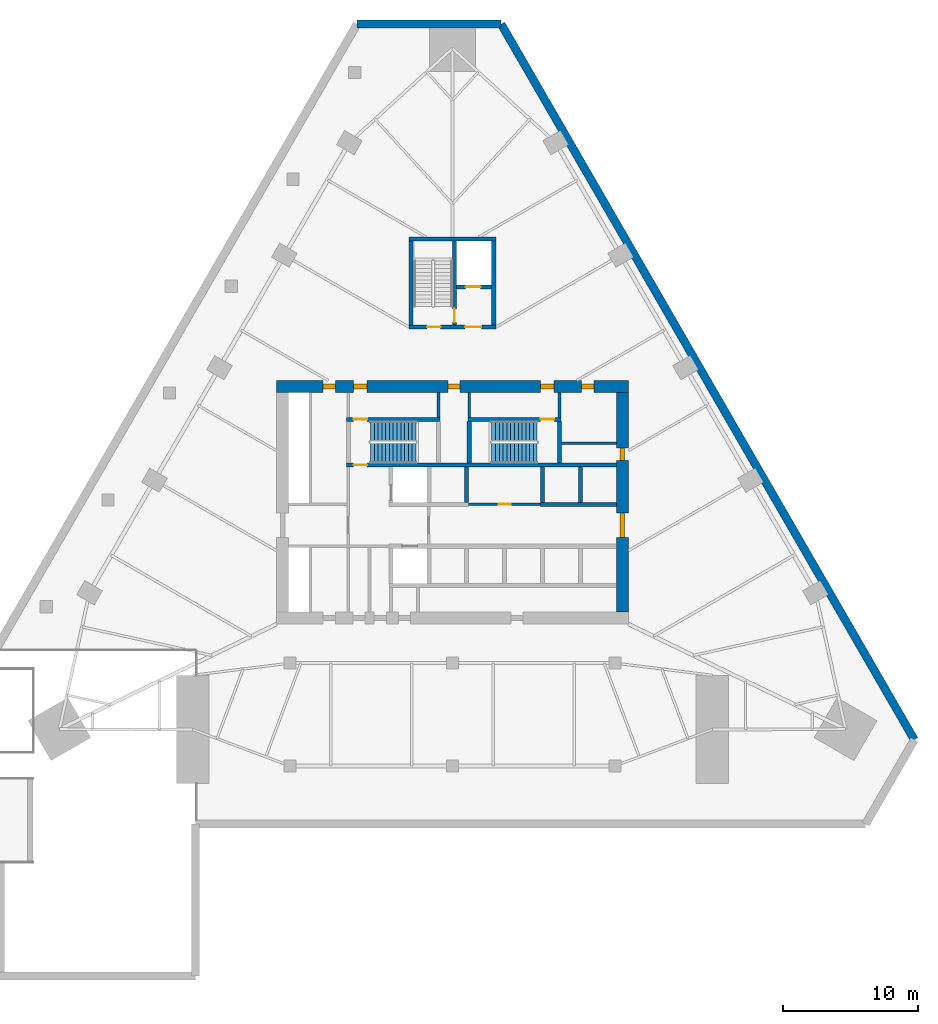
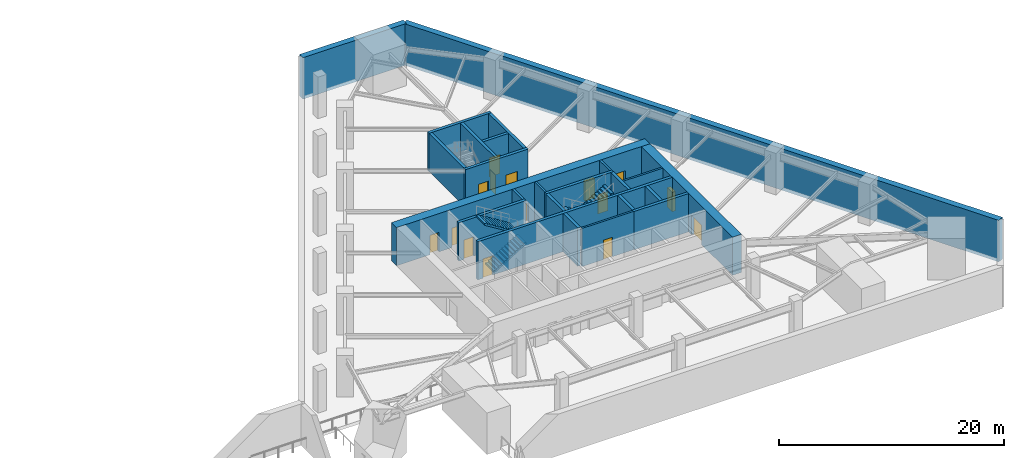
# One storey, part 4 of 7: 24 walls, 15 doors, 4 stair flights, 15 openings, 2 elements without a shape of their own.
"""IFC4 building model written with IfcOpenShell, lengths in metres."""

import ifcopenshell
import ifcopenshell.guid

model = None  # the IFC model being written
_history = None  # IfcOwnerHistory: only IFC2X3 demands one
_inside = {}  # id of a spatial element -> (the spatial element, [elements in it])
_under = {}  # id of a project, library or spatial element -> (it, [spatial elements below it])
_declared = {}  # id of a project -> (the project, [libraries it declares])
_typed = {}  # id of a type object -> (the type object, [elements of that type])
_made_of = {}  # id of a material, layer set ... -> (it, [elements and type objects made of it])


def new_model(schema):
    """Start an empty IFC model of exactly this schema.

    Asked for "IFC4X3", IfcOpenShell would pick the latest addendum, in which some entities
    have other attributes; the version numbers below select the first issue.
    IFC2X3 requires an IfcOwnerHistory on every rooted entity: one is made here for all.
    """
    global model, _history
    if schema == "IFC4X3":
        model = ifcopenshell.file(schema_version=(4, 3, 0, 0))
    else:
        model = ifcopenshell.file(schema=schema)
    _inside.clear()
    _under.clear()
    _declared.clear()
    _typed.clear()
    _made_of.clear()
    _history = None
    if model.schema == "IFC2X3":
        org = make("IfcOrganization", Name="unknown")
        user = make(
            "IfcPersonAndOrganization",
            ThePerson=make("IfcPerson", FamilyName="unknown"),
            TheOrganization=org,
        )
        app = make(
            "IfcApplication",
            ApplicationDeveloper=org,
            Version="unknown",
            ApplicationFullName="unknown",
            ApplicationIdentifier="unknown",
        )
        _history = make(
            "IfcOwnerHistory",
            OwningUser=user,
            OwningApplication=app,
            ChangeAction="ADDED",
            CreationDate=0,
        )
    return model


def make(cls, **values):
    """One entity of the class cls with the attributes given. An attribute that is None is left unset."""
    return model.create_entity(
        cls, **{name: value for name, value in values.items() if value is not None}
    )


def rooted(cls, **values):
    """An entity with a GlobalId (a new one), such as an element, a storey or a relation."""
    return make(cls, GlobalId=ifcopenshell.guid.new(), OwnerHistory=_history, **values)


def si_unit(unit_type, name, prefix=None):
    """IfcSIUnit, for example si_unit("LENGTHUNIT", "METRE", prefix="MILLI")."""
    return make("IfcSIUnit", UnitType=unit_type, Prefix=prefix, Name=name)


def assignment(units):
    """IfcUnitAssignment: the units of a project."""
    return None if units is None else make("IfcUnitAssignment", Units=units)


def point(xyz):
    """IfcCartesianPoint."""
    return None if xyz is None else make("IfcCartesianPoint", Coordinates=xyz)


def direction(xyz):
    """IfcDirection."""
    return None if xyz is None else make("IfcDirection", DirectionRatios=xyz)


def frame(location, z_axis=None, x_axis=None):
    """IfcAxis2Placement3D, a coordinate frame: its origin and axes. An axis left out is left unset."""
    return make(
        "IfcAxis2Placement3D",
        Location=point(location),
        Axis=direction(z_axis),
        RefDirection=direction(x_axis),
    )


def frame_2d(location, x_axis=None):
    """IfcAxis2Placement2D, a coordinate frame in the plane: its origin and x axis."""
    return make(
        "IfcAxis2Placement2D", Location=point(location), RefDirection=direction(x_axis)
    )


def origin():
    """The frame at (0, 0, 0) with its axes left unset."""
    return frame((0.0, 0.0, 0.0))


def place(relative_to, where):
    """IfcLocalPlacement: puts the frame where relative to a parent placement (None: the world)."""
    return make(
        "IfcLocalPlacement", PlacementRelTo=relative_to, RelativePlacement=where
    )


def context(
    kind, dimensions, precision=None, world=None, true_north=None, identifier=None
):
    """IfcGeometricRepresentationContext, for example the 3D "Model" context."""
    return make(
        "IfcGeometricRepresentationContext",
        ContextIdentifier=identifier,
        ContextType=kind,
        CoordinateSpaceDimension=dimensions,
        Precision=precision,
        WorldCoordinateSystem=world,
        TrueNorth=true_north,
    )


def subcontext(parent, identifier, kind, view, scale=None):
    """IfcGeometricRepresentationSubContext, for example "Body" below "Model"."""
    return make(
        "IfcGeometricRepresentationSubContext",
        ContextIdentifier=identifier,
        ContextType=kind,
        ParentContext=parent,
        TargetScale=scale,
        TargetView=view,
    )


def project(units=None, contexts=None):
    """IfcProject with its units and contexts."""
    return rooted(
        "IfcProject",
        Name="project",
        RepresentationContexts=contexts,
        UnitsInContext=assignment(units),
    )


def spatial(cls, under=None, at=None, **own):
    """A site, building, storey or space (cls), placed at a placement, below another one or the project."""
    s = rooted(cls, ObjectPlacement=at, **own)
    if under is not None:
        _under.setdefault(under.id(), (under, []))[1].append(s)
    return s


def polyline(points):
    """IfcPolyline through the points."""
    return make("IfcPolyline", Points=[point(p) for p in points])


def profile(cls, at=None, kind="AREA", **sizes):
    """A parametric profile (cls). Its sizes go by their IFC names, for example OverallWidth=200.0."""
    return make(cls, ProfileType=kind, Position=at, **sizes)


def rectangle(**sizes):
    """IfcRectangleProfileDef."""
    return profile("IfcRectangleProfileDef", **sizes)


def outline(outer, holes=None, kind="AREA"):
    """IfcArbitraryClosedProfileDef: a profile drawn as a closed curve; with holes, ...WithVoids."""
    if holes is None:
        return make("IfcArbitraryClosedProfileDef", ProfileType=kind, OuterCurve=outer)
    return make(
        "IfcArbitraryProfileDefWithVoids",
        ProfileType=kind,
        OuterCurve=outer,
        InnerCurves=holes,
    )


def extrude(swept, where, along, depth):
    """IfcExtrudedAreaSolid: the profile swept, set in the frame where, extruded along a direction by depth."""
    return make(
        "IfcExtrudedAreaSolid",
        SweptArea=swept,
        Position=where,
        ExtrudedDirection=direction(along),
        Depth=depth,
    )


def shape(context_of_items, identifier, shape_type, items):
    """IfcShapeRepresentation: the items that make up one representation, for example the "Body"."""
    return make(
        "IfcShapeRepresentation",
        ContextOfItems=context_of_items,
        RepresentationIdentifier=identifier,
        RepresentationType=shape_type,
        Items=items,
    )


def material(Name=None, Category=None):
    """IfcMaterial."""
    return make("IfcMaterial", Name=Name, Category=Category)


def layer(
    of_material, thickness, ventilated=None, Name=None, Category=None, Priority=None
):
    """IfcMaterialLayer: one layer of a wall or slab, of a material (None: an air gap)."""
    return make(
        "IfcMaterialLayer",
        Material=of_material,
        LayerThickness=thickness,
        IsVentilated=ventilated,
        Name=Name,
        Category=Category,
        Priority=Priority,
    )


def layer_set(layers, Name=None):
    """IfcMaterialLayerSet."""
    return make("IfcMaterialLayerSet", MaterialLayers=layers, LayerSetName=Name)


def made_of(thing, what):
    """Note that an element or type object is made of a material, layer set ...; save() writes the relation."""
    if what is not None:
        _made_of.setdefault(what.id(), (what, []))[1].append(thing)
    return thing


def type_object(cls, material=None, **own):
    """A type object (cls), such as IfcWallType, which elements share."""
    return made_of(rooted(cls, **own), material)


def element(
    cls,
    number,
    at=None,
    inside=None,
    cuts=None,
    type_object=None,
    material=None,
    context=None,
    identifier="Body",
    shape_type=None,
    held_by="IfcProductDefinitionShape",
    body=None,
    shapes=None,
    **own,
):
    """One element of the class cls, such as IfcWall. Its Tag is "e" and its number.

    at: its placement. inside: the storey or other place that contains it. cuts: it is an
    opening in that element (IfcRelVoidsElement). A single representation is given by context,
    identifier, shape_type and body (its items); several are given by shapes. held_by: the class
    of the entity that holds the representations. save() writes the other relations.
    """
    e = rooted(cls, Tag="e%d" % number, ObjectPlacement=at, **own)
    if body is not None:
        shapes = [shape(context, identifier, shape_type, body)]
    if shapes is not None:
        e.Representation = make(held_by, Representations=shapes)
    if inside is not None:
        _inside.setdefault(inside.id(), (inside, []))[1].append(e)
    if cuts is not None:
        rooted(
            "IfcRelVoidsElement", RelatingBuildingElement=cuts, RelatedOpeningElement=e
        )
    if type_object is not None:
        _typed.setdefault(type_object.id(), (type_object, []))[1].append(e)
    return made_of(e, material)


def fill(opening, filler):
    """IfcRelFillsElement: the door or window that sits in an opening."""
    return rooted(
        "IfcRelFillsElement",
        RelatingOpeningElement=opening,
        RelatedBuildingElement=filler,
    )


def aggregate(whole, parts):
    """IfcRelAggregates: a whole, such as a stair, and the parts it consists of."""
    return rooted("IfcRelAggregates", RelatingObject=whole, RelatedObjects=parts)


def save(model, path):
    """Write the relations noted so far, then the file.

    IfcRelAggregates (storeys below a building ...), IfcRelContainedInSpatialStructure (elements
    in a storey), IfcRelDefinesByType, IfcRelAssociatesMaterial and IfcRelDeclares: one each for
    every whole, place, type object, material and project.
    """
    for whole, parts in _under.values():
        aggregate(whole, parts)
    for where, things in _inside.values():
        rooted(
            "IfcRelContainedInSpatialStructure",
            RelatedElements=things,
            RelatingStructure=where,
        )
    for kind, things in _typed.values():
        rooted("IfcRelDefinesByType", RelatedObjects=things, RelatingType=kind)
    for what, things in _made_of.values():
        rooted("IfcRelAssociatesMaterial", RelatedObjects=things, RelatingMaterial=what)
    for by, libraries in _declared.values():
        rooted("IfcRelDeclares", RelatingContext=by, RelatedDefinitions=libraries)
    model.write(path)


model = new_model("IFC4")

# Units and contexts
model_context = context("Model", 3, precision=1e-05, world=origin(), true_north=direction((0.0, 1.0)))
body_context = subcontext(model_context, "Body", "Model", "MODEL_VIEW")
ifc_project = project(units=[si_unit("LENGTHUNIT", "METRE"), si_unit("AREAUNIT", "SQUARE_METRE"), si_unit("VOLUMEUNIT", "CUBIC_METRE"), si_unit("PLANEANGLEUNIT", "RADIAN"), si_unit("MASSUNIT", "GRAM", prefix="KILO")], contexts=[model_context])

# Site, building, storey
site_placement = place(None, origin())
site = spatial("IfcSite", under=ifc_project, at=site_placement, CompositionType="ELEMENT")
building_placement = place(site_placement, origin())
building = spatial("IfcBuilding", under=site, at=building_placement, Name="Firuza Gate Tower and Library", CompositionType="ELEMENT")
storey_placement = place(building_placement, frame((0.0, 0.0, -9.5)))
storey = spatial("IfcBuildingStorey", under=building, at=storey_placement, Name="B2", CompositionType="ELEMENT", Elevation=-9.5)

# Wall, opening, door
ifc_material_1 = material(Name="Plasterboard on steel studs", Category="steel")
ifc_layer_1 = layer(ifc_material_1, 0.199951171875)
ifc_layer_set_1 = layer_set([ifc_layer_1], Name="Core partition 200 EI 120")
wall_type_1 = type_object("IfcWallType", Name="Core partition 200 EI 120", PredefinedType="PARTITIONING", material=ifc_layer_set_1)
wall_1_placement = place(storey_placement, frame((76.199951171875, 74.85009765625, 0.0), z_axis=(0.0, 0.0, 1.0), x_axis=(1.0, 0.0, 0.0)))
wall_1 = element("IfcWall", 1, at=wall_1_placement, inside=storey, type_object=wall_type_1, Name="Core partition B2 3", PredefinedType="PARTITIONING", context=body_context, shape_type="SweptSolid", body=[
    extrude(rectangle(XDim=5.300048828125, YDim=0.199951171875, at=frame_2d((2.64990234375, 0.0))), origin(), (0.0, 0.0, 1.0), 4.14990234375),
])
opening_1_placement = place(wall_1_placement, frame((2.199951171875, 0.0, 0.0)))
opening_1 = element("IfcOpeningElement", 2, at=opening_1_placement, cuts=wall_1, Name="Opening B2-K22", PredefinedType="OPENING", context=body_context, shape_type="SweptSolid", body=[
    extrude(rectangle(XDim=0.89990234375, YDim=2.10009765625, at=frame_2d((0.449951171875, 1.050048828125))), frame((0.0, 0.10986328125, 0.0), z_axis=(0.0, -1.0, 0.0), x_axis=(1.0, 0.0, 0.0)), (0.0, 0.0, 1.0), 0.219970703125),
])
ifc_material_2 = material(Name="Steel", Category="steel")
door_type_1 = type_object("IfcDoorType", Name="Fire door 900x2100 FD30S", OperationType="NOTDEFINED", PredefinedType="DOOR", material=ifc_material_2)
door_1_placement = place(opening_1_placement, origin())
door_1 = element("IfcDoor", 3, at=door_1_placement, inside=storey, type_object=door_type_1, Name="Door B2-K22", OperationType="SINGLE_SWING_LEFT", OverallHeight=2.10009765625, OverallWidth=0.89990234375, PredefinedType="DOOR", context=body_context, shape_type="SweptSolid", body=[
    extrude(rectangle(XDim=0.89990234375, YDim=2.10009765625, at=frame_2d((0.449951171875, 1.050048828125))), frame((0.0, 0.02490234375, 0.0), z_axis=(0.0, -1.0, 0.0), x_axis=(1.0, 0.0, 0.0)), (0.0, 0.0, 1.0), 0.050048828125),
])
fill(opening_1, door_1)

# Walls
wall_2_placement = place(storey_placement, frame((83.050048828125, 79.35498046875, 0.0), z_axis=(0.0, 0.0, 1.0), x_axis=(1.0, 0.0, 0.0)))
element("IfcWall", 4, at=wall_2_placement, inside=storey, type_object=wall_type_1, Name="Core partition B2 4", PredefinedType="PARTITIONING", context=body_context, shape_type="SweptSolid", body=[
    extrude(rectangle(XDim=4.050048828125, YDim=0.199951171875, at=frame_2d((2.02490234375, 0.0))), origin(), (0.0, 0.0, 1.0), 4.14990234375),
])
for number, where, z_axis, x_axis, name in (
    (5, (73.9599609375, 81.280029296875, 0.0), (0.0, 0.0, 1.0), (0.0, 1.0, 0.0), "Core partition B2 14"),
    (6, (76.239990234375, 81.280029296875, 0.0), (0.0, 0.0, 1.0), (0.0, 1.0, 0.0), "Core partition B2 15"),
    (7, (82.89990234375, 81.280029296875, 0.0), (0.0, 0.0, 1.0), (0.0, 1.0, 0.0), "Core partition B2 16"),
):
    element("IfcWall", number, at=place(storey_placement, frame(where, z_axis=z_axis, x_axis=x_axis)), inside=storey, type_object=wall_type_1, Name=name, PredefinedType="PARTITIONING", context=body_context, shape_type="SweptSolid", body=[
        extrude(rectangle(XDim=1.820068359375, YDim=0.199951171875, at=frame_2d((0.91015625, 0.0))), origin(), (0.0, 0.0, 1.0), 4.14990234375),
    ])
ifc_material_3 = material(Name="Concrete C80/95", Category="concrete")
ifc_layer_2 = layer(ifc_material_3, 0.300048828125)
ifc_layer_set_2 = layer_set([ifc_layer_2], Name="Core wall 300 C80/95")
wall_type_2 = type_object("IfcWallType", Name="Core wall 300 C80/95", PredefinedType="SHEAR", material=ifc_layer_set_2)
wall_3_placement = place(storey_placement, frame((81.5, 74.85009765625, 0.0), z_axis=(0.0, 0.0, 1.0), x_axis=(1.0, 0.0, 0.0)))
element("IfcWall", 8, at=wall_3_placement, inside=storey, type_object=wall_type_2, Name="Core wall B2 8", PredefinedType="SHEAR", context=body_context, shape_type="SweptSolid", body=[
    extrude(rectangle(XDim=5.60009765625, YDim=0.300048828125, at=frame_2d((2.800048828125, 0.0))), origin(), (0.0, 0.0, 1.0), 4.14990234375),
])
for number, where, z_axis, x_axis, name in (
    (9, (76.050048828125, 75.0, 0.0), (0.0, 0.0, 1.0), (0.0, 1.0, 0.0), "Core wall B2 14"),
    (10, (81.64990234375, 75.0, 0.0), (0.0, 0.0, 1.0), (0.0, 1.0, 0.0), "Core wall B2 17"),
    (11, (84.449951171875, 75.0, 0.0), (0.0, 0.0, 1.0), (0.0, 1.0, 0.0), "Core wall B2 19"),
):
    element("IfcWall", number, at=place(storey_placement, frame(where, z_axis=z_axis, x_axis=x_axis)), inside=storey, type_object=wall_type_2, Name=name, PredefinedType="SHEAR", context=body_context, shape_type="SweptSolid", body=[
        extrude(rectangle(XDim=2.60009765625, YDim=0.300048828125, at=frame_2d((1.300048828125, 0.0))), origin(), (0.0, 0.0, 1.0), 4.14990234375),
    ])

# Wall, opening, door
wall_4_placement = place(storey_placement, frame((67.14990234375, 77.75, 0.0), z_axis=(0.0, 0.0, 1.0), x_axis=(1.0, 0.0, 0.0)))
wall_4 = element("IfcWall", 12, at=wall_4_placement, inside=storey, type_object=wall_type_2, Name="Core wall B2 20", PredefinedType="SHEAR", context=body_context, shape_type="SweptSolid", body=[
    extrude(rectangle(XDim=19.9501953125, YDim=0.300048828125, at=frame_2d((9.97509765625, 0.0))), origin(), (0.0, 0.0, 1.0), 4.14990234375),
])
opening_2_placement = place(wall_4_placement, frame((0.544921875, 0.0, 0.0)))
opening_2 = element("IfcOpeningElement", 13, at=opening_2_placement, cuts=wall_4, Name="Opening B2-K04", PredefinedType="OPENING", context=body_context, shape_type="SweptSolid", body=[
    extrude(rectangle(XDim=1.0, YDim=2.10009765625, at=frame_2d((0.5, 1.050048828125))), frame((0.0, 0.16015625, 0.0), z_axis=(0.0, -1.0, 0.0), x_axis=(1.0, 0.0, 0.0)), (0.0, 0.0, 1.0), 0.320068359375),
])
ifc_material_4 = material(Name="Steel", Category="steel")
door_type_2 = type_object("IfcDoorType", Name="Fire door 1000x2100 FD90", OperationType="NOTDEFINED", PredefinedType="DOOR", material=ifc_material_4)
door_2_placement = place(opening_2_placement, origin())
door_2 = element("IfcDoor", 14, at=door_2_placement, inside=storey, type_object=door_type_2, Name="Door B2-K04", OperationType="SINGLE_SWING_LEFT", OverallHeight=2.10009765625, OverallWidth=1.0, PredefinedType="DOOR", context=body_context, shape_type="SweptSolid", body=[
    extrude(rectangle(XDim=1.0, YDim=2.10009765625, at=frame_2d((0.5, 1.050048828125))), frame((0.0, 0.02490234375, 0.0), z_axis=(0.0, -1.0, 0.0), x_axis=(1.0, 0.0, 0.0)), (0.0, 0.0, 1.0), 0.050048828125),
])
fill(opening_2, door_2)

wall_5_placement = place(storey_placement, frame((67.14990234375, 81.1298828125, 0.0), z_axis=(0.0, 0.0, 1.0), x_axis=(1.0, 0.0, 0.0)))
wall_5 = element("IfcWall", 15, at=wall_5_placement, inside=storey, type_object=wall_type_2, Name="Core wall B2 21", PredefinedType="SHEAR", context=body_context, shape_type="SweptSolid", body=[
    extrude(rectangle(XDim=6.91015625, YDim=0.300048828125, at=frame_2d((3.455078125, 0.0))), origin(), (0.0, 0.0, 1.0), 4.14990234375),
])
opening_3_placement = place(wall_5_placement, frame((0.544921875, 0.0, 0.0)))
opening_3 = element("IfcOpeningElement", 16, at=opening_3_placement, cuts=wall_5, Name="Opening B2-K05", PredefinedType="OPENING", context=body_context, shape_type="SweptSolid", body=[
    extrude(rectangle(XDim=1.0, YDim=2.10009765625, at=frame_2d((0.5, 1.050048828125))), frame((0.0, 0.16015625, 0.0), z_axis=(0.0, -1.0, 0.0), x_axis=(1.0, 0.0, 0.0)), (0.0, 0.0, 1.0), 0.320068359375),
])
door_3_placement = place(opening_3_placement, origin())
door_3 = element("IfcDoor", 17, at=door_3_placement, inside=storey, type_object=door_type_2, Name="Door B2-K05", OperationType="SINGLE_SWING_RIGHT", OverallHeight=2.10009765625, OverallWidth=1.0, PredefinedType="DOOR", context=body_context, shape_type="SweptSolid", body=[
    extrude(rectangle(XDim=1.0, YDim=2.10009765625, at=frame_2d((0.5, 1.050048828125))), frame((0.0, 0.02490234375, 0.0), z_axis=(0.0, -1.0, 0.0), x_axis=(1.0, 0.0, 0.0)), (0.0, 0.0, 1.0), 0.050048828125),
])
fill(opening_3, door_3)

wall_6_placement = place(storey_placement, frame((76.139892578125, 81.1298828125, 0.0), z_axis=(0.0, 0.0, 1.0), x_axis=(1.0, 0.0, 0.0)))
wall_6 = element("IfcWall", 18, at=wall_6_placement, inside=storey, type_object=wall_type_2, Name="Core wall B2 22", PredefinedType="SHEAR", context=body_context, shape_type="SweptSolid", body=[
    extrude(rectangle(XDim=6.860107421875, YDim=0.300048828125, at=frame_2d((3.43017578125, 0.0))), origin(), (0.0, 0.0, 1.0), 4.14990234375),
])
opening_4_placement = place(wall_6_placement, frame((5.364990234375, 0.0, 0.0)))
opening_4 = element("IfcOpeningElement", 19, at=opening_4_placement, cuts=wall_6, Name="Opening B2-K07", PredefinedType="OPENING", context=body_context, shape_type="SweptSolid", body=[
    extrude(rectangle(XDim=1.0, YDim=2.10009765625, at=frame_2d((0.5, 1.050048828125))), frame((0.0, 0.16015625, 0.0), z_axis=(0.0, -1.0, 0.0), x_axis=(1.0, 0.0, 0.0)), (0.0, 0.0, 1.0), 0.320068359375),
])
door_4_placement = place(opening_4_placement, origin())
door_4 = element("IfcDoor", 20, at=door_4_placement, inside=storey, type_object=door_type_2, Name="Door B2-K07", OperationType="SINGLE_SWING_RIGHT", OverallHeight=2.10009765625, OverallWidth=1.0, PredefinedType="DOOR", context=body_context, shape_type="SweptSolid", body=[
    extrude(rectangle(XDim=1.0, YDim=2.10009765625, at=frame_2d((0.5, 1.050048828125))), frame((0.0, 0.02490234375, 0.0), z_axis=(0.0, -1.0, 0.0), x_axis=(1.0, 0.0, 0.0)), (0.0, 0.0, 1.0), 0.050048828125),
])
fill(opening_4, door_4)

# Walls
for number, where, z_axis, x_axis, name in (
    (21, (76.239990234375, 77.89990234375, 0.0), (0.0, 0.0, 1.0), (0.0, 1.0, 0.0), "Core wall B2 25"),
    (22, (82.89990234375, 77.89990234375, 0.0), (0.0, 0.0, 1.0), (0.0, 1.0, 0.0), "Core wall B2 26"),
):
    element("IfcWall", number, at=place(storey_placement, frame(where, z_axis=z_axis, x_axis=x_axis)), inside=storey, type_object=wall_type_2, Name=name, PredefinedType="SHEAR", context=body_context, shape_type="SweptSolid", body=[
        extrude(rectangle(XDim=3.080078125, YDim=0.300048828125, at=frame_2d((1.5400390625, 0.0))), origin(), (0.0, 0.0, 1.0), 4.14990234375),
    ])

# Wall, openings, doors
wall_7_placement = place(storey_placement, frame((71.800048828125, 87.949951171875, 0.0), z_axis=(0.0, 0.0, 1.0), x_axis=(1.0, 0.0, 0.0)))
wall_7 = element("IfcWall", 23, at=wall_7_placement, inside=storey, type_object=wall_type_2, Name="Core wall B2 27", PredefinedType="SHEAR", context=body_context, shape_type="SweptSolid", body=[
    extrude(rectangle(XDim=6.39990234375, YDim=0.300048828125, at=frame_2d((3.199951171875, 0.0))), origin(), (0.0, 0.0, 1.0), 4.14990234375),
])
opening_5_placement = place(wall_7_placement, frame((1.324951171875, 0.0, 0.0)))
opening_5 = element("IfcOpeningElement", 24, at=opening_5_placement, cuts=wall_7, Name="Opening B2-K09", PredefinedType="OPENING", context=body_context, shape_type="SweptSolid", body=[
    extrude(rectangle(XDim=1.0, YDim=2.10009765625, at=frame_2d((0.5, 1.050048828125))), frame((0.0, 0.16015625, 0.0), z_axis=(0.0, -1.0, 0.0), x_axis=(1.0, 0.0, 0.0)), (0.0, 0.0, 1.0), 0.320068359375),
])
opening_6_placement = place(wall_7_placement, frame((4.125, 0.0, 0.0)))
opening_6 = element("IfcOpeningElement", 25, at=opening_6_placement, cuts=wall_7, Name="Opening B2-K11", PredefinedType="OPENING", context=body_context, shape_type="SweptSolid", body=[
    extrude(rectangle(XDim=1.199951171875, YDim=2.10009765625, at=frame_2d((0.60009765625, 1.050048828125))), frame((0.0, 0.16015625, 0.0), z_axis=(0.0, -1.0, 0.0), x_axis=(1.0, 0.0, 0.0)), (0.0, 0.0, 1.0), 0.320068359375),
])
door_5_placement = place(opening_5_placement, origin())
door_5 = element("IfcDoor", 26, at=door_5_placement, inside=storey, type_object=door_type_2, Name="Door B2-K09", OperationType="SINGLE_SWING_RIGHT", OverallHeight=2.10009765625, OverallWidth=1.0, PredefinedType="DOOR", context=body_context, shape_type="SweptSolid", body=[
    extrude(rectangle(XDim=1.0, YDim=2.10009765625, at=frame_2d((0.5, 1.050048828125))), frame((0.0, 0.02490234375, 0.0), z_axis=(0.0, -1.0, 0.0), x_axis=(1.0, 0.0, 0.0)), (0.0, 0.0, 1.0), 0.050048828125),
])
fill(opening_5, door_5)
ifc_material_5 = material(Name="Steel", Category="steel")
door_type_3 = type_object("IfcDoorType", Name="Fire door 1200x2100 FD30S", OperationType="NOTDEFINED", PredefinedType="DOOR", material=ifc_material_5)
door_6_placement = place(opening_6_placement, origin())
door_6 = element("IfcDoor", 27, at=door_6_placement, inside=storey, type_object=door_type_3, Name="Door B2-K11", OperationType="SINGLE_SWING_RIGHT", OverallHeight=2.10009765625, OverallWidth=1.199951171875, PredefinedType="DOOR", context=body_context, shape_type="SweptSolid", body=[
    extrude(rectangle(XDim=1.199951171875, YDim=2.10009765625, at=frame_2d((0.60009765625, 1.050048828125))), frame((0.0, 0.02490234375, 0.0), z_axis=(0.0, -1.0, 0.0), x_axis=(1.0, 0.0, 0.0)), (0.0, 0.0, 1.0), 0.050048828125),
])
fill(opening_6, door_6)

# Walls
wall_8_placement = place(storey_placement, frame((71.800048828125, 94.449951171875, 0.0), z_axis=(0.0, 0.0, 1.0), x_axis=(1.0, 0.0, 0.0)))
element("IfcWall", 28, at=wall_8_placement, inside=storey, type_object=wall_type_2, Name="Core wall B2 28", PredefinedType="SHEAR", context=body_context, shape_type="SweptSolid", body=[
    extrude(rectangle(XDim=6.39990234375, YDim=0.300048828125, at=frame_2d((3.199951171875, 0.0))), origin(), (0.0, 0.0, 1.0), 4.14990234375),
])
for number, where, z_axis, x_axis, name in (
    (29, (71.949951171875, 88.10009765625, 0.0), (0.0, 0.0, 1.0), (0.0, 1.0, 0.0), "Core wall B2 29"),
    (30, (78.050048828125, 88.10009765625, 0.0), (0.0, 0.0, 1.0), (0.0, 1.0, 0.0), "Core wall B2 30"),
):
    element("IfcWall", number, at=place(storey_placement, frame(where, z_axis=z_axis, x_axis=x_axis)), inside=storey, type_object=wall_type_2, Name=name, PredefinedType="SHEAR", context=body_context, shape_type="SweptSolid", body=[
        extrude(rectangle(XDim=6.199951171875, YDim=0.300048828125, at=frame_2d((3.10009765625, 0.0))), origin(), (0.0, 0.0, 1.0), 4.14990234375),
    ])

# Wall, opening, door
wall_9_placement = place(storey_placement, frame((75.300048828125, 90.89990234375, 0.0), z_axis=(0.0, 0.0, 1.0), x_axis=(1.0, 0.0, 0.0)))
wall_9 = element("IfcWall", 31, at=wall_9_placement, inside=storey, type_object=wall_type_2, Name="Core wall B2 31", PredefinedType="SHEAR", context=body_context, shape_type="SweptSolid", body=[
    extrude(rectangle(XDim=2.599853515625, YDim=0.300048828125, at=frame_2d((1.2998046875, 0.0))), origin(), (0.0, 0.0, 1.0), 4.14990234375),
])
opening_7_placement = place(wall_9_placement, frame((0.675048828125, 0.0, 0.0)))
opening_7 = element("IfcOpeningElement", 32, at=opening_7_placement, cuts=wall_9, Name="Opening LD-SV1-B2", PredefinedType="OPENING", context=body_context, shape_type="SweptSolid", body=[
    extrude(rectangle(XDim=1.10009765625, YDim=2.10009765625, at=frame_2d((0.550048828125, 1.050048828125))), frame((0.0, 0.16015625, 0.0), z_axis=(0.0, -1.0, 0.0), x_axis=(1.0, 0.0, 0.0)), (0.0, 0.0, 1.0), 0.320068359375),
])
ifc_material_6 = material(Name="Stainless steel", Category="steel")
door_type_4 = type_object("IfcDoorType", Name="Lift landing door 1100x2100", OperationType="DOUBLE_DOOR_SLIDING", PredefinedType="DOOR", material=ifc_material_6)
door_7_placement = place(opening_7_placement, origin())
door_7 = element("IfcDoor", 33, at=door_7_placement, inside=storey, type_object=door_type_4, Name="Landing door SV1 B2", OperationType="DOUBLE_DOOR_SLIDING", OverallHeight=2.10009765625, OverallWidth=1.10009765625, PredefinedType="DOOR", context=body_context, shape_type="SweptSolid", body=[
    extrude(rectangle(XDim=1.10009765625, YDim=2.10009765625, at=frame_2d((0.550048828125, 1.050048828125))), frame((0.0, 0.02490234375, 0.0), z_axis=(0.0, -1.0, 0.0), x_axis=(1.0, 0.0, 0.0)), (0.0, 0.0, 1.0), 0.050048828125),
])
fill(opening_7, door_7)

wall_10_placement = place(storey_placement, frame((75.14990234375, 88.10009765625, 0.0), z_axis=(0.0, 0.0, 1.0), x_axis=(0.0, 1.0, 0.0)))
wall_10 = element("IfcWall", 34, at=wall_10_placement, inside=storey, type_object=wall_type_2, Name="Core wall B2 32", PredefinedType="SHEAR", context=body_context, shape_type="SweptSolid", body=[
    extrude(rectangle(XDim=6.199951171875, YDim=0.300048828125, at=frame_2d((3.10009765625, 0.0))), origin(), (0.0, 0.0, 1.0), 4.14990234375),
])
opening_8_placement = place(wall_10_placement, frame((0.18505859375, 0.0, 0.0)))
opening_8 = element("IfcOpeningElement", 35, at=opening_8_placement, cuts=wall_10, Name="Opening B2-K10", PredefinedType="OPENING", context=body_context, shape_type="SweptSolid", body=[
    extrude(rectangle(XDim=1.0, YDim=2.10009765625, at=frame_2d((0.5, 1.050048828125))), frame((0.0, 0.16015625, 0.0), z_axis=(0.0, -1.0, 0.0), x_axis=(1.0, 0.0, 0.0)), (0.0, 0.0, 1.0), 0.320068359375),
])
door_8_placement = place(opening_8_placement, origin())
door_8 = element("IfcDoor", 36, at=door_8_placement, inside=storey, type_object=door_type_2, Name="Door B2-K10", OperationType="SINGLE_SWING_LEFT", OverallHeight=2.10009765625, OverallWidth=1.0, PredefinedType="DOOR", context=body_context, shape_type="SweptSolid", body=[
    extrude(rectangle(XDim=1.0, YDim=2.10009765625, at=frame_2d((0.5, 1.050048828125))), frame((0.0, 0.02490234375, 0.0), z_axis=(0.0, -1.0, 0.0), x_axis=(1.0, 0.0, 0.0)), (0.0, 0.0, 1.0), 0.050048828125),
])
fill(opening_8, door_8)

# Wall, openings, doors
ifc_material_7 = material(Name="Concrete C80/95", Category="concrete")
ifc_layer_3 = layer(ifc_material_7, 0.89990234375)
ifc_layer_set_3 = layer_set([ifc_layer_3], Name="Core wall 900 C80/95")
wall_type_3 = type_object("IfcWallType", Name="Core wall 900 C80/95", PredefinedType="SHEAR", material=ifc_layer_set_3)
wall_11_placement = place(storey_placement, frame((62.0, 83.550048828125, 0.0), z_axis=(0.0, 0.0, 1.0), x_axis=(1.0, 0.0, 0.0)))
wall_11 = element("IfcWall", 37, at=wall_11_placement, inside=storey, type_object=wall_type_3, Name="Core wall B2 2", PredefinedType="SHEAR", context=body_context, shape_type="SweptSolid", body=[
    extrude(rectangle(XDim=26.0, YDim=0.89990234375, at=frame_2d((13.0, 0.0))), origin(), (0.0, 0.0, 1.0), 4.14990234375),
])
opening_9_placement = place(wall_11_placement, frame((5.695068359375, 0.0, 0.0)))
opening_9 = element("IfcOpeningElement", 38, at=opening_9_placement, cuts=wall_11, Name="Opening B2-K06", PredefinedType="OPENING", context=body_context, shape_type="SweptSolid", body=[
    extrude(rectangle(XDim=1.0, YDim=2.10009765625, at=frame_2d((0.5, 1.050048828125))), frame((0.0, 0.4599609375, 0.0), z_axis=(0.0, -1.0, 0.0), x_axis=(1.0, 0.0, 0.0)), (0.0, 0.0, 1.0), 0.919921875),
])
opening_10_placement = place(wall_11_placement, frame((19.5048828125, 0.0, 0.0)))
opening_10 = element("IfcOpeningElement", 39, at=opening_10_placement, cuts=wall_11, Name="Opening B2-K08", PredefinedType="OPENING", context=body_context, shape_type="SweptSolid", body=[
    extrude(rectangle(XDim=1.0, YDim=2.10009765625, at=frame_2d((0.5, 1.050048828125))), frame((0.0, 0.4599609375, 0.0), z_axis=(0.0, -1.0, 0.0), x_axis=(1.0, 0.0, 0.0)), (0.0, 0.0, 1.0), 0.919921875),
])
opening_11_placement = place(wall_11_placement, frame((3.449951171875, 0.0, 0.0)))
opening_11 = element("IfcOpeningElement", 40, at=opening_11_placement, cuts=wall_11, Name="Opening B2-K21", PredefinedType="OPENING", context=body_context, shape_type="SweptSolid", body=[
    extrude(rectangle(XDim=0.89990234375, YDim=2.10009765625, at=frame_2d((0.449951171875, 1.050048828125))), frame((0.0, 0.4599609375, 0.0), z_axis=(0.0, -1.0, 0.0), x_axis=(1.0, 0.0, 0.0)), (0.0, 0.0, 1.0), 0.919921875),
])
opening_12_placement = place(wall_11_placement, frame((12.64990234375, 0.0, 0.0)))
opening_12 = element("IfcOpeningElement", 41, at=opening_12_placement, cuts=wall_11, Name="Opening B2-K23", PredefinedType="OPENING", context=body_context, shape_type="SweptSolid", body=[
    extrude(rectangle(XDim=0.89990234375, YDim=2.10009765625, at=frame_2d((0.449951171875, 1.050048828125))), frame((0.0, 0.4599609375, 0.0), z_axis=(0.0, -1.0, 0.0), x_axis=(1.0, 0.0, 0.0)), (0.0, 0.0, 1.0), 0.919921875),
])
opening_13_placement = place(wall_11_placement, frame((22.550048828125, 0.0, 0.0)))
opening_13 = element("IfcOpeningElement", 42, at=opening_13_placement, cuts=wall_11, Name="Opening B2-K25", PredefinedType="OPENING", context=body_context, shape_type="SweptSolid", body=[
    extrude(rectangle(XDim=0.89990234375, YDim=2.10009765625, at=frame_2d((0.449951171875, 1.050048828125))), frame((0.0, 0.4599609375, 0.0), z_axis=(0.0, -1.0, 0.0), x_axis=(1.0, 0.0, 0.0)), (0.0, 0.0, 1.0), 0.919921875),
])
door_9_placement = place(opening_9_placement, origin())
door_9 = element("IfcDoor", 43, at=door_9_placement, inside=storey, type_object=door_type_2, Name="Door B2-K06", OperationType="SINGLE_SWING_LEFT", OverallHeight=2.10009765625, OverallWidth=1.0, PredefinedType="DOOR", context=body_context, shape_type="SweptSolid", body=[
    extrude(rectangle(XDim=1.0, YDim=2.10009765625, at=frame_2d((0.5, 1.050048828125))), frame((0.0, 0.169921875, 0.0), z_axis=(0.0, -1.0, 0.0), x_axis=(1.0, 0.0, 0.0)), (0.0, 0.0, 1.0), 0.33984375),
])
fill(opening_9, door_9)
door_10_placement = place(opening_10_placement, origin())
door_10 = element("IfcDoor", 44, at=door_10_placement, inside=storey, type_object=door_type_2, Name="Door B2-K08", OperationType="SINGLE_SWING_LEFT", OverallHeight=2.10009765625, OverallWidth=1.0, PredefinedType="DOOR", context=body_context, shape_type="SweptSolid", body=[
    extrude(rectangle(XDim=1.0, YDim=2.10009765625, at=frame_2d((0.5, 1.050048828125))), frame((0.0, 0.169921875, 0.0), z_axis=(0.0, -1.0, 0.0), x_axis=(1.0, 0.0, 0.0)), (0.0, 0.0, 1.0), 0.33984375),
])
fill(opening_10, door_10)
door_11_placement = place(opening_11_placement, origin())
door_11 = element("IfcDoor", 45, at=door_11_placement, inside=storey, type_object=door_type_1, Name="Door B2-K21", OperationType="SINGLE_SWING_RIGHT", OverallHeight=2.10009765625, OverallWidth=0.89990234375, PredefinedType="DOOR", context=body_context, shape_type="SweptSolid", body=[
    extrude(rectangle(XDim=0.89990234375, YDim=2.10009765625, at=frame_2d((0.449951171875, 1.050048828125))), frame((0.0, 0.169921875, 0.0), z_axis=(0.0, -1.0, 0.0), x_axis=(1.0, 0.0, 0.0)), (0.0, 0.0, 1.0), 0.33984375),
])
fill(opening_11, door_11)
door_12_placement = place(opening_12_placement, origin())
door_12 = element("IfcDoor", 46, at=door_12_placement, inside=storey, type_object=door_type_1, Name="Door B2-K23", OperationType="SINGLE_SWING_RIGHT", OverallHeight=2.10009765625, OverallWidth=0.89990234375, PredefinedType="DOOR", context=body_context, shape_type="SweptSolid", body=[
    extrude(rectangle(XDim=0.89990234375, YDim=2.10009765625, at=frame_2d((0.449951171875, 1.050048828125))), frame((0.0, 0.169921875, 0.0), z_axis=(0.0, -1.0, 0.0), x_axis=(1.0, 0.0, 0.0)), (0.0, 0.0, 1.0), 0.33984375),
])
fill(opening_12, door_12)
door_13_placement = place(opening_13_placement, origin())
door_13 = element("IfcDoor", 47, at=door_13_placement, inside=storey, type_object=door_type_1, Name="Door B2-K25", OperationType="SINGLE_SWING_RIGHT", OverallHeight=2.10009765625, OverallWidth=0.89990234375, PredefinedType="DOOR", context=body_context, shape_type="SweptSolid", body=[
    extrude(rectangle(XDim=0.89990234375, YDim=2.10009765625, at=frame_2d((0.449951171875, 1.050048828125))), frame((0.0, 0.169921875, 0.0), z_axis=(0.0, -1.0, 0.0), x_axis=(1.0, 0.0, 0.0)), (0.0, 0.0, 1.0), 0.33984375),
])
fill(opening_13, door_13)

wall_12_placement = place(storey_placement, frame((87.550048828125, 66.89990234375, 0.0), z_axis=(0.0, 0.0, 1.0), x_axis=(0.0, 1.0, 0.0)))
wall_12 = element("IfcWall", 48, at=wall_12_placement, inside=storey, type_object=wall_type_3, Name="Core wall B2 4", PredefinedType="SHEAR", context=body_context, shape_type="SweptSolid", body=[
    extrude(rectangle(XDim=16.2001953125, YDim=0.89990234375, at=frame_2d((8.10009765625, 0.0))), origin(), (0.0, 0.0, 1.0), 4.14990234375),
])
opening_14_placement = place(wall_12_placement, frame((5.5, 0.0, 0.0)))
opening_14 = element("IfcOpeningElement", 49, at=opening_14_placement, cuts=wall_12, Name="Opening B2-K15", PredefinedType="OPENING", context=body_context, shape_type="SweptSolid", body=[
    extrude(rectangle(XDim=1.800048828125, YDim=2.10009765625, at=frame_2d((0.89990234375, 1.050048828125))), frame((0.0, 0.4599609375, 0.0), z_axis=(0.0, -1.0, 0.0), x_axis=(1.0, 0.0, 0.0)), (0.0, 0.0, 1.0), 0.919921875),
])
opening_15_placement = place(wall_12_placement, frame((11.202392578125, 0.0, 0.0)))
opening_15 = element("IfcOpeningElement", 50, at=opening_15_placement, cuts=wall_12, Name="Opening B2-K24", PredefinedType="OPENING", context=body_context, shape_type="SweptSolid", body=[
    extrude(rectangle(XDim=0.89990234375, YDim=2.10009765625, at=frame_2d((0.449951171875, 1.050048828125))), frame((0.0, 0.4599609375, 0.0), z_axis=(0.0, -1.0, 0.0), x_axis=(1.0, 0.0, 0.0)), (0.0, 0.0, 1.0), 0.919921875),
])
ifc_material_8 = material(Name="Steel", Category="steel")
door_type_5 = type_object("IfcDoorType", Name="Fire door 1800x2100 FD30S", OperationType="NOTDEFINED", PredefinedType="DOOR", material=ifc_material_8)
door_14_placement = place(opening_14_placement, origin())
door_14 = element("IfcDoor", 51, at=door_14_placement, inside=storey, type_object=door_type_5, Name="Door B2-K15", OperationType="SINGLE_SWING_RIGHT", OverallHeight=2.10009765625, OverallWidth=1.800048828125, PredefinedType="DOOR", context=body_context, shape_type="SweptSolid", body=[
    extrude(rectangle(XDim=1.800048828125, YDim=2.10009765625, at=frame_2d((0.89990234375, 1.050048828125))), frame((0.0, 0.169921875, 0.0), z_axis=(0.0, -1.0, 0.0), x_axis=(1.0, 0.0, 0.0)), (0.0, 0.0, 1.0), 0.33984375),
])
fill(opening_14, door_14)
door_15_placement = place(opening_15_placement, origin())
door_15 = element("IfcDoor", 52, at=door_15_placement, inside=storey, type_object=door_type_1, Name="Door B2-K24", OperationType="SINGLE_SWING_LEFT", OverallHeight=2.10009765625, OverallWidth=0.89990234375, PredefinedType="DOOR", context=body_context, shape_type="SweptSolid", body=[
    extrude(rectangle(XDim=0.89990234375, YDim=2.10009765625, at=frame_2d((0.449951171875, 1.050048828125))), frame((0.0, 0.169921875, 0.0), z_axis=(0.0, -1.0, 0.0), x_axis=(1.0, 0.0, 0.0)), (0.0, 0.0, 1.0), 0.33984375),
])
fill(opening_15, door_15)

# Walls
ifc_material_9 = material(Name="Concrete C40/50", Category="concrete")
ifc_layer_4 = layer(ifc_material_9, 0.60009765625)
ifc_layer_set_4 = layer_set([ifc_layer_4], Name="Retaining wall 600 C40/50")
wall_type_4 = type_object("IfcWallType", Name="Retaining wall 600 C40/50", PredefinedType="SOLIDWALL", material=ifc_layer_set_4)
wall_13_placement = place(storey_placement, frame((109.132080078125, 57.45068359375, -0.35009765625), z_axis=(0.0, 0.0, 1.0), x_axis=(-0.499999206999, 0.866025861623, 0.0)))
element("IfcWall", 53, at=wall_13_placement, inside=storey, type_object=wall_type_4, Name="Retaining wall B2 3", PredefinedType="SOLIDWALL", context=body_context, shape_type="SweptSolid", body=[
    extrude(rectangle(XDim=61.06396484375, YDim=0.60009765625, at=frame_2d((30.531982421875, 0.0))), origin(), (0.0, 0.0, 1.0), 4.5),
])
wall_14_placement = place(storey_placement, frame((78.60009765625, 110.333740234375, -0.35009765625), z_axis=(0.0, 0.0, 1.0), x_axis=(-1.0, 0.0, 0.0)))
element("IfcWall", 54, at=wall_14_placement, inside=storey, type_object=wall_type_4, Name="Retaining wall B2 4", PredefinedType="SOLIDWALL", context=body_context, shape_type="SweptSolid", body=[
    extrude(rectangle(XDim=10.664306640625, YDim=0.60009765625, at=frame_2d((5.33203125, 0.0))), origin(), (0.0, 0.0, 1.0), 4.5),
])

# Stair, stair flights
ifc_material_10 = material(Name="Concrete C35/45", Category="concrete")
stair_type = type_object("IfcStairType", Name="Exit stair ST1", PredefinedType="HALF_TURN_STAIR", material=ifc_material_10)
placement = place(storey_placement, origin())
stair_1 = element("IfcStair", 55, at=placement, inside=storey, type_object=stair_type, Name="B2 Stair ST1", PredefinedType="HALF_TURN_STAIR")
ifc_material_11 = material(Name="Concrete C35/45", Category="concrete")
stair_flight_type = type_object("IfcStairFlightType", Name="Stair flight 13 risers 173.1 width 1490", PredefinedType="STRAIGHT", material=ifc_material_11)
stair_flight_1_placement = place(storey_placement, frame((68.93994140625, 78.64501953125, 0.0), z_axis=(0.0, 0.0, 1.0), x_axis=(1.0, 0.0, 0.0)))
stair_flight_1 = element("IfcStairFlight", 56, at=stair_flight_1_placement, type_object=stair_flight_type, Name="ST1 flight 1", NumberOfRisers=13, NumberOfTreads=12, PredefinedType="STRAIGHT", RiserHeight=0.173076923, TreadLength=0.28, context=body_context, shape_type="SweptSolid", body=[
    extrude(outline(polyline([(0.0, 0.0), (0.0, 0.173095703125), (0.280029296875, 0.173095703125), (0.280029296875, 0.34619140625), (0.56005859375, 0.34619140625), (0.56005859375, 0.519287109375), (0.840087890625, 0.519287109375), (0.840087890625, 0.6923828125), (1.1201171875, 0.6923828125), (1.1201171875, 0.865478515625), (1.39990234375, 0.865478515625), (1.39990234375, 1.03857421875), (1.679931640625, 1.03857421875), (1.679931640625, 1.21142578125), (1.9599609375, 1.21142578125), (1.9599609375, 1.384521484375), (2.239990234375, 1.384521484375), (2.239990234375, 1.5576171875), (2.52001953125, 1.5576171875), (2.52001953125, 1.730712890625), (2.800048828125, 1.730712890625), (2.800048828125, 1.90380859375), (3.080078125, 1.90380859375), (3.080078125, 2.076904296875), (3.360107421875, 2.076904296875), (3.360107421875, 2.25), (3.360107421875, 1.900634765625), (0.28515625, 0.0), (0.0, 0.0)])), frame((0.0, 0.7451171875, 0.0), z_axis=(0.0, -1.0, 0.0), x_axis=(1.0, 0.0, 0.0)), (0.0, 0.0, 1.0), 1.489990234375),
])
stair_flight_2_placement = place(storey_placement, frame((72.300048828125, 80.235107421875, 2.25), z_axis=(0.0, 0.0, 1.0), x_axis=(-1.0, 0.0, 0.0)))
stair_flight_2 = element("IfcStairFlight", 57, at=stair_flight_2_placement, type_object=stair_flight_type, Name="ST1 flight 2", NumberOfRisers=13, NumberOfTreads=12, PredefinedType="STRAIGHT", RiserHeight=0.173076923, TreadLength=0.28, context=body_context, shape_type="SweptSolid", body=[
    extrude(outline(polyline([(0.0, 0.0), (0.0, 0.173095703125), (0.280029296875, 0.173095703125), (0.280029296875, 0.34619140625), (0.56005859375, 0.34619140625), (0.56005859375, 0.519287109375), (0.840087890625, 0.519287109375), (0.840087890625, 0.6923828125), (1.1201171875, 0.6923828125), (1.1201171875, 0.865478515625), (1.39990234375, 0.865478515625), (1.39990234375, 1.03857421875), (1.679931640625, 1.03857421875), (1.679931640625, 1.21142578125), (1.9599609375, 1.21142578125), (1.9599609375, 1.384521484375), (2.239990234375, 1.384521484375), (2.239990234375, 1.5576171875), (2.52001953125, 1.5576171875), (2.52001953125, 1.730712890625), (2.800048828125, 1.730712890625), (2.800048828125, 1.90380859375), (3.080078125, 1.90380859375), (3.080078125, 2.076904296875), (3.360107421875, 2.076904296875), (3.360107421875, 2.25), (3.360107421875, 1.900634765625), (0.28515625, 0.0), (0.0, 0.0)])), frame((0.0, 0.7451171875, 0.0), z_axis=(0.0, -1.0, 0.0), x_axis=(1.0, 0.0, 0.0)), (0.0, 0.0, 1.0), 1.489990234375),
])
aggregate(stair_1, [stair_flight_1, stair_flight_2])

stair_2 = element("IfcStair", 58, at=placement, inside=storey, type_object=stair_type, Name="B2 Stair ST2", PredefinedType="HALF_TURN_STAIR")
stair_flight_3_placement = place(storey_placement, frame((81.260009765625, 80.235107421875, 0.0), z_axis=(0.0, 0.0, 1.0), x_axis=(-1.0, 0.0, 0.0)))
stair_flight_3 = element("IfcStairFlight", 59, at=stair_flight_3_placement, type_object=stair_flight_type, Name="ST2 flight 1", NumberOfRisers=13, NumberOfTreads=12, PredefinedType="STRAIGHT", RiserHeight=0.173076923, TreadLength=0.28, context=body_context, shape_type="SweptSolid", body=[
    extrude(outline(polyline([(0.0, 0.0), (0.0, 0.173095703125), (0.280029296875, 0.173095703125), (0.280029296875, 0.34619140625), (0.56005859375, 0.34619140625), (0.56005859375, 0.519287109375), (0.840087890625, 0.519287109375), (0.840087890625, 0.6923828125), (1.1201171875, 0.6923828125), (1.1201171875, 0.865478515625), (1.39990234375, 0.865478515625), (1.39990234375, 1.03857421875), (1.679931640625, 1.03857421875), (1.679931640625, 1.21142578125), (1.9599609375, 1.21142578125), (1.9599609375, 1.384521484375), (2.239990234375, 1.384521484375), (2.239990234375, 1.5576171875), (2.52001953125, 1.5576171875), (2.52001953125, 1.730712890625), (2.800048828125, 1.730712890625), (2.800048828125, 1.90380859375), (3.080078125, 1.90380859375), (3.080078125, 2.076904296875), (3.360107421875, 2.076904296875), (3.360107421875, 2.25), (3.360107421875, 1.900634765625), (0.28515625, 0.0), (0.0, 0.0)])), frame((0.0, 0.7451171875, 0.0), z_axis=(0.0, -1.0, 0.0), x_axis=(1.0, 0.0, 0.0)), (0.0, 0.0, 1.0), 1.489990234375),
])
stair_flight_4_placement = place(storey_placement, frame((77.89990234375, 78.64501953125, 2.25), z_axis=(0.0, 0.0, 1.0), x_axis=(1.0, 0.0, 0.0)))
stair_flight_4 = element("IfcStairFlight", 60, at=stair_flight_4_placement, type_object=stair_flight_type, Name="ST2 flight 2", NumberOfRisers=13, NumberOfTreads=12, PredefinedType="STRAIGHT", RiserHeight=0.173076923, TreadLength=0.28, context=body_context, shape_type="SweptSolid", body=[
    extrude(outline(polyline([(0.0, 0.0), (0.0, 0.173095703125), (0.280029296875, 0.173095703125), (0.280029296875, 0.34619140625), (0.56005859375, 0.34619140625), (0.56005859375, 0.519287109375), (0.840087890625, 0.519287109375), (0.840087890625, 0.6923828125), (1.1201171875, 0.6923828125), (1.1201171875, 0.865478515625), (1.39990234375, 0.865478515625), (1.39990234375, 1.03857421875), (1.679931640625, 1.03857421875), (1.679931640625, 1.21142578125), (1.9599609375, 1.21142578125), (1.9599609375, 1.384521484375), (2.239990234375, 1.384521484375), (2.239990234375, 1.5576171875), (2.52001953125, 1.5576171875), (2.52001953125, 1.730712890625), (2.800048828125, 1.730712890625), (2.800048828125, 1.90380859375), (3.080078125, 1.90380859375), (3.080078125, 2.076904296875), (3.360107421875, 2.076904296875), (3.360107421875, 2.25), (3.360107421875, 1.900634765625), (0.28515625, 0.0), (0.0, 0.0)])), frame((0.0, 0.7451171875, 0.0), z_axis=(0.0, -1.0, 0.0), x_axis=(1.0, 0.0, 0.0)), (0.0, 0.0, 1.0), 1.489990234375),
])
aggregate(stair_2, [stair_flight_3, stair_flight_4])

save(model, "model.ifc")
